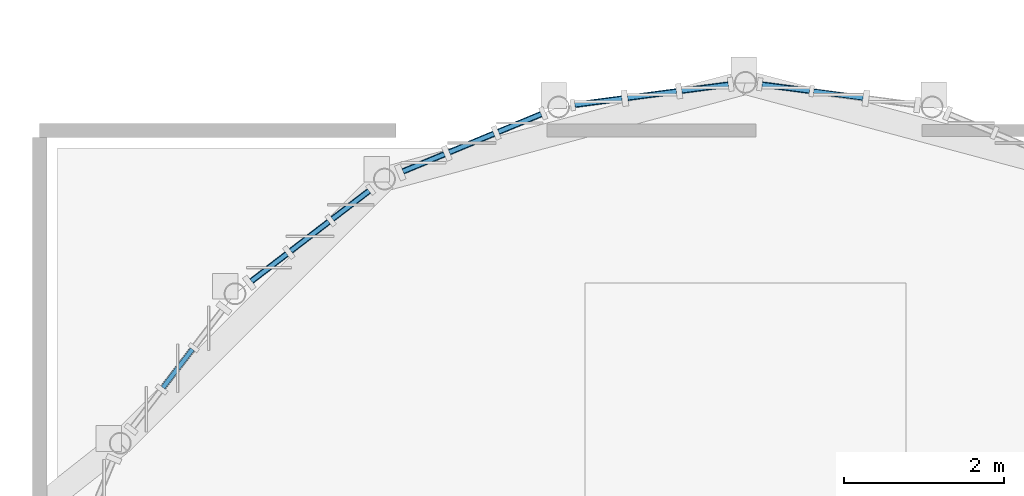
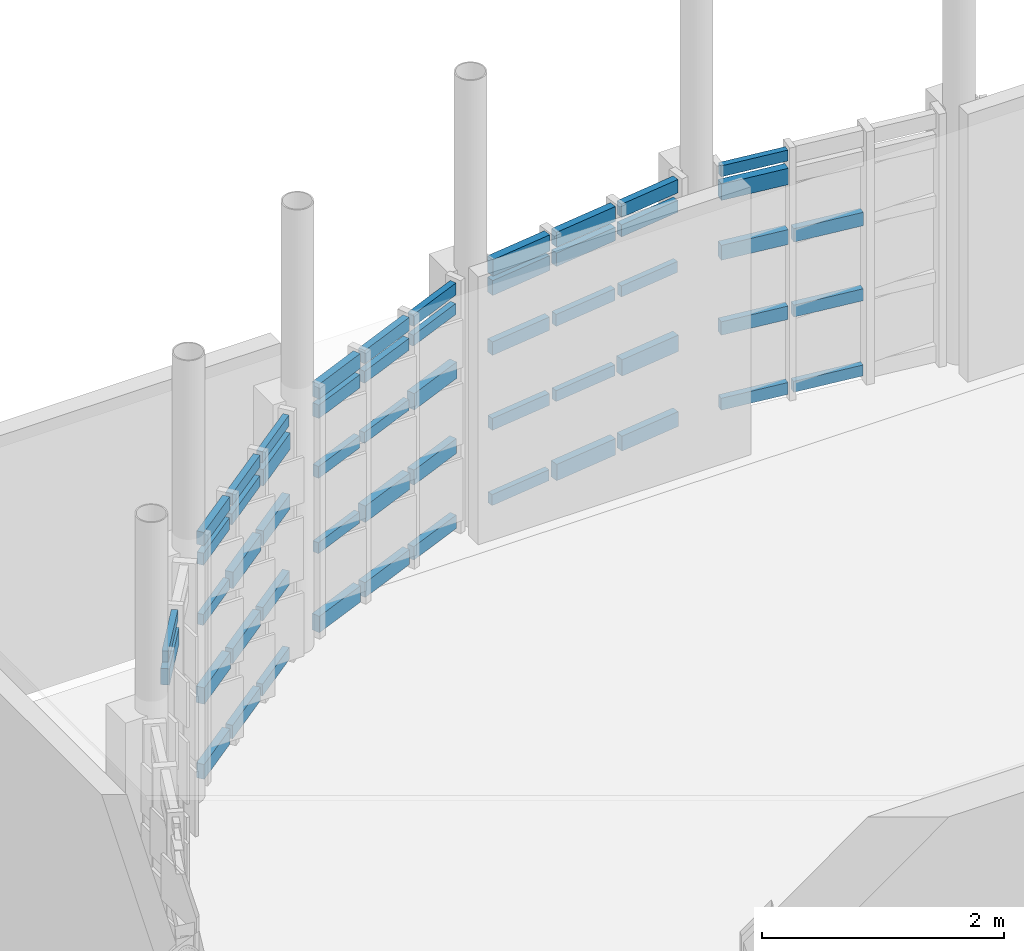
# One storey, part 24 of 44: 55 members, 5 elements without a shape of their own.
"""IFC4 building model written with IfcOpenShell, lengths in metres."""

from ifc_helpers import new_model, si_unit, direction, frame, origin, origin_2d, place, context, subcontext, project, spatial, rectangle, extrude, material, material_profile, profile_set, type_object, element, aggregate, save


model = new_model("IFC4")

# Units and contexts
model_context = context("Model", 3, precision=1e-05, world=origin(), true_north=direction((0.0, 1.0)))
body_context = subcontext(model_context, "Body", "Model", "MODEL_VIEW")
ifc_project = project(units=[si_unit("LENGTHUNIT", "METRE"), si_unit("AREAUNIT", "SQUARE_METRE"), si_unit("VOLUMEUNIT", "CUBIC_METRE"), si_unit("PLANEANGLEUNIT", "RADIAN"), si_unit("MASSUNIT", "GRAM", prefix="KILO")], contexts=[model_context])

# Site, building, storey
site_placement = place(None, origin())
site = spatial("IfcSite", under=ifc_project, at=site_placement, CompositionType="ELEMENT")
building_placement = place(site_placement, origin())
building = spatial("IfcBuilding", under=site, at=building_placement, Name="Serraforn Aerial Cableway Station", CompositionType="ELEMENT")
storey_placement = place(building_placement, frame((0.0, 0.0, 13.800048828125)))
storey = spatial("IfcBuildingStorey", under=building, at=storey_placement, Name="L03", CompositionType="ELEMENT", Elevation=13.800048828125)

# Curtain wall, member
ifc_material_1 = material(Name="Anodised bronze unitised curtain wall")
curtain_wall_type_1 = type_object("IfcCurtainWallType", Name="CW-SYS-22", PredefinedType="USERDEFINED", material=ifc_material_1)
curtain_wall_1_placement = place(storey_placement, origin())
curtain_wall_1 = element("IfcCurtainWall", 1, at=curtain_wall_1_placement, inside=storey, type_object=curtain_wall_type_1, Name="Unitised Curtain Wall CW-AP-L03-R3", ObjectType="UNITISED CURTAIN WALL", PredefinedType="USERDEFINED")
ifc_material_2 = material(Name="Anodised bronze extruded aluminium", Category="aluminium")
ifc_material_profile_1 = material_profile(ifc_material_2, rectangle(XDim=0.054931640625, YDim=0.110107421875, at=origin_2d()), Name="CW TRANSOM 55x110")
ifc_profile_set_1 = profile_set([ifc_material_profile_1], Name="Anodised bronze extruded aluminium")
member_type_1 = type_object("IfcMemberType", Name="CW-TRN-1", PredefinedType="USERDEFINED", material=ifc_profile_set_1)
member_1_placement = place(storey_placement, frame((52.205322265625, 47.67236328125, 2.447998046875), z_axis=(-0.608830626569, -0.793300238341, 0.0), x_axis=(0.793300238341, -0.608830626569, 0.0)))
member_1 = element("IfcMember", 2, at=member_1_placement, type_object=member_type_1, Name="Curtain Wall Transom CW-AP-L03-R3-T2-5", ObjectType="TRANSOM", PredefinedType="USERDEFINED", context=body_context, shape_type="SweptSolid", body=[
    extrude(rectangle(XDim=0.054931640625, YDim=0.110107421875, at=origin_2d()), origin(), (0.0, 0.0, 1.0), 0.603515625),
])

# Curtain wall, members
curtain_wall_type_2 = type_object("IfcCurtainWallType", Name="CW-SYS-23", PredefinedType="USERDEFINED", material=ifc_material_1)
curtain_wall_2_placement = place(storey_placement, origin())
curtain_wall_2 = element("IfcCurtainWall", 3, at=curtain_wall_2_placement, inside=storey, type_object=curtain_wall_type_2, Name="Unitised Curtain Wall CW-AP-L03-R4", ObjectType="UNITISED CURTAIN WALL", PredefinedType="USERDEFINED")
member_2_placement = place(storey_placement, frame((54.40771484375, 49.646484375, 2.447998046875), z_axis=(-0.793647301448, -0.608378139732, 0.0), x_axis=(0.608378139732, -0.793647301448, 0.0)))
member_2 = element("IfcMember", 4, at=member_2_placement, type_object=member_type_1, Name="Curtain Wall Transom CW-AP-L03-R4-T1-5", ObjectType="TRANSOM", PredefinedType="USERDEFINED", context=body_context, shape_type="SweptSolid", body=[
    extrude(rectangle(XDim=0.054931640625, YDim=0.110107421875, at=origin_2d()), origin(), (0.0, 0.0, 1.0), 0.575927734375),
])
member_3_placement = place(storey_placement, frame((53.906494140625, 49.261962890625, 2.243896484375), z_axis=(-0.793442186035, -0.608645625483, 0.0), x_axis=(0.608645625483, -0.793442186035, 0.0)))
member_3 = element("IfcMember", 5, at=member_3_placement, type_object=member_type_1, Name="Curtain Wall Transom CW-AP-L03-R4-T2-4", ObjectType="TRANSOM", PredefinedType="USERDEFINED", context=body_context, shape_type="SweptSolid", body=[
    extrude(rectangle(XDim=0.054931640625, YDim=0.110107421875, at=origin_2d()), origin(), (0.0, 0.0, 1.0), 0.598388671875),
])
member_4_placement = place(storey_placement, frame((53.38330078125, 48.860595703125, 1.6318359375), z_axis=(-0.793500799504, -0.608569208214, 0.0), x_axis=(0.608569208214, -0.793500799504, 0.0)))
member_4 = element("IfcMember", 6, at=member_4_placement, type_object=member_type_1, Name="Curtain Wall Transom CW-AP-L03-R4-T3-3", ObjectType="TRANSOM", PredefinedType="USERDEFINED", context=body_context, shape_type="SweptSolid", body=[
    extrude(rectangle(XDim=0.054931640625, YDim=0.110107421875, at=origin_2d()), origin(), (0.0, 0.0, 1.0), 0.558349609375),
])

curtain_wall_type_3 = type_object("IfcCurtainWallType", Name="CW-SYS-24", PredefinedType="USERDEFINED", material=ifc_material_1)
curtain_wall_3_placement = place(storey_placement, origin())
curtain_wall_3 = element("IfcCurtainWall", 7, at=curtain_wall_3_placement, inside=storey, type_object=curtain_wall_type_3, Name="Unitised Curtain Wall CW-AP-L03-R5", ObjectType="UNITISED CURTAIN WALL", PredefinedType="USERDEFINED")
member_5_placement = place(storey_placement, frame((56.55419921875, 50.603515625, 2.243896484375), z_axis=(-0.923975594245, -0.382451436446, 0.0), x_axis=(0.382451436446, -0.923975594245, 0.0)))
member_5 = element("IfcMember", 8, at=member_5_placement, type_object=member_type_1, Name="Curtain Wall Transom CW-AP-L03-R5-T1-4", ObjectType="TRANSOM", PredefinedType="USERDEFINED", context=body_context, shape_type="SweptSolid", body=[
    extrude(rectangle(XDim=0.054931640625, YDim=0.110107421875, at=origin_2d()), origin(), (0.0, 0.0, 1.0), 0.5771484375),
])
member_6_placement = place(storey_placement, frame((55.964599609375, 50.359375, 1.6318359375), z_axis=(-0.923878487466, -0.382685955317, 0.0), x_axis=(0.382685955317, -0.923878487466, 0.0)))
member_6 = element("IfcMember", 9, at=member_6_placement, type_object=member_type_1, Name="Curtain Wall Transom CW-AP-L03-R5-T2-3", ObjectType="TRANSOM", PredefinedType="USERDEFINED", context=body_context, shape_type="SweptSolid", body=[
    extrude(rectangle(XDim=0.054931640625, YDim=0.110107421875, at=origin_2d()), origin(), (0.0, 0.0, 1.0), 0.602294921875),
])
member_7_placement = place(storey_placement, frame((55.347412109375, 50.103759765625, 0.866943359375), z_axis=(-0.923926461364, -0.382570116438, 0.0), x_axis=(0.382570116438, -0.923926461364, 0.0)))
member_7 = element("IfcMember", 10, at=member_7_placement, type_object=member_type_1, Name="Curtain Wall Transom CW-AP-L03-R5-T3-2", ObjectType="TRANSOM", PredefinedType="USERDEFINED", context=body_context, shape_type="SweptSolid", body=[
    extrude(rectangle(XDim=0.054931640625, YDim=0.110107421875, at=origin_2d()), origin(), (0.0, 0.0, 1.0), 0.5595703125),
])

curtain_wall_type_4 = type_object("IfcCurtainWallType", Name="CW-SYS-25", PredefinedType="USERDEFINED", material=ifc_material_1)
curtain_wall_4_placement = place(storey_placement, origin())
curtain_wall_4 = element("IfcCurtainWall", 11, at=curtain_wall_4_placement, inside=storey, type_object=curtain_wall_type_4, Name="Unitised Curtain Wall CW-AP-L03-R6", ObjectType="UNITISED CURTAIN WALL", PredefinedType="USERDEFINED")
member_8_placement = place(storey_placement, frame((58.8876953125, 50.97216796875, 1.6318359375), z_axis=(-0.991415987293, -0.130745325498, 0.0), x_axis=(0.130745325498, -0.991415987293, 0.0)))
member_8 = element("IfcMember", 12, at=member_8_placement, type_object=member_type_1, Name="Curtain Wall Transom CW-AP-L03-R6-T1-3", ObjectType="TRANSOM", PredefinedType="USERDEFINED", context=body_context, shape_type="SweptSolid", body=[
    extrude(rectangle(XDim=0.054931640625, YDim=0.110107421875, at=origin_2d()), origin(), (0.0, 0.0, 1.0), 0.58642578125),
])
member_9_placement = place(storey_placement, frame((58.24072265625, 50.886962890625, 0.866943359375), z_axis=(-0.991404140861, -0.130835123282, 0.0), x_axis=(0.130835123282, -0.991404140861, 0.0)))
member_9 = element("IfcMember", 13, at=member_9_placement, type_object=member_type_1, Name="Curtain Wall Transom CW-AP-L03-R6-T2-2", ObjectType="TRANSOM", PredefinedType="USERDEFINED", context=body_context, shape_type="SweptSolid", body=[
    extrude(rectangle(XDim=0.054931640625, YDim=0.110107421875, at=origin_2d()), origin(), (0.0, 0.0, 1.0), 0.614013671875),
])
member_10_placement = place(storey_placement, frame((57.561767578125, 50.797607421875, 0.10205078125), z_axis=(-0.991420685839, -0.130709692412, 0.0), x_axis=(0.130709692412, -0.991420685839, 0.0)))
member_10 = element("IfcMember", 14, at=member_10_placement, type_object=member_type_1, Name="Curtain Wall Transom CW-AP-L03-R6-T3-1", ObjectType="TRANSOM", PredefinedType="USERDEFINED", context=body_context, shape_type="SweptSolid", body=[
    extrude(rectangle(XDim=0.054931640625, YDim=0.110107421875, at=origin_2d()), origin(), (0.0, 0.0, 1.0), 0.593994140625),
])

curtain_wall_type_5 = type_object("IfcCurtainWallType", Name="CW-SYS-26", PredefinedType="USERDEFINED", material=ifc_material_1)
curtain_wall_5_placement = place(storey_placement, origin())
curtain_wall_5 = element("IfcCurtainWall", 15, at=curtain_wall_5_placement, inside=storey, type_object=curtain_wall_type_5, Name="Unitised Curtain Wall CW-AP-L03-R7", ObjectType="UNITISED CURTAIN WALL", PredefinedType="USERDEFINED")
member_11_placement = place(storey_placement, frame((60.56787109375, 50.806640625, 0.10205078125), z_axis=(-0.991408779426, 0.13079996971, 0.0), x_axis=(-0.13079996971, -0.991408779426, 0.0)))
member_11 = element("IfcMember", 16, at=member_11_placement, type_object=member_type_1, Name="Curtain Wall Transom CW-AP-L03-R7-T2-1", ObjectType="TRANSOM", PredefinedType="USERDEFINED", context=body_context, shape_type="SweptSolid", body=[
    extrude(rectangle(XDim=0.054931640625, YDim=0.110107421875, at=origin_2d()), origin(), (0.0, 0.0, 1.0), 0.62158203125),
])
member_12_placement = place(storey_placement, frame((59.901123046875, 50.89453125, 2.447998046875), z_axis=(-0.991454295543, 0.130454512571, 0.0), x_axis=(-0.130454512571, -0.991454295543, 0.0)))
member_12 = element("IfcMember", 17, at=member_12_placement, type_object=member_type_1, Name="Curtain Wall Transom CW-AP-L03-R7-T3-5", ObjectType="TRANSOM", PredefinedType="USERDEFINED", context=body_context, shape_type="SweptSolid", body=[
    extrude(rectangle(XDim=0.054931640625, YDim=0.110107421875, at=origin_2d()), origin(), (0.0, 0.0, 1.0), 0.598876953125),
])

# Member
ifc_material_profile_2 = material_profile(ifc_material_2, rectangle(XDim=0.06005859375, YDim=0.1201171875, at=origin_2d()), Name="CW TRANSOM 60x120")
ifc_profile_set_2 = profile_set([ifc_material_profile_2], Name="Anodised bronze extruded aluminium")
member_type_2 = type_object("IfcMemberType", Name="CW-TRN-2", PredefinedType="USERDEFINED", material=ifc_profile_set_2)
member_13_placement = place(storey_placement, frame((54.40771484375, 49.646484375, 0.10205078125), z_axis=(-0.793647301448, -0.608378139732, 0.0), x_axis=(0.608378139732, -0.793647301448, 0.0)))
member_13 = element("IfcMember", 18, at=member_13_placement, type_object=member_type_2, Name="Curtain Wall Transom CW-AP-L03-R4-T1-1", ObjectType="TRANSOM", PredefinedType="USERDEFINED", context=body_context, shape_type="SweptSolid", body=[
    extrude(rectangle(XDim=0.06005859375, YDim=0.1201171875, at=origin_2d()), origin(), (0.0, 0.0, 1.0), 0.575927734375),
])

member_14_placement = place(storey_placement, frame((53.906494140625, 49.261962890625, 2.447998046875), z_axis=(-0.793442186035, -0.608645625483, 0.0), x_axis=(0.608645625483, -0.793442186035, 0.0)))
member_14 = element("IfcMember", 19, at=member_14_placement, type_object=member_type_2, Name="Curtain Wall Transom CW-AP-L03-R4-T2-5", ObjectType="TRANSOM", PredefinedType="USERDEFINED", context=body_context, shape_type="SweptSolid", body=[
    extrude(rectangle(XDim=0.06005859375, YDim=0.1201171875, at=origin_2d()), origin(), (0.0, 0.0, 1.0), 0.598388671875),
])

member_15_placement = place(storey_placement, frame((53.38330078125, 48.860595703125, 2.243896484375), z_axis=(-0.793500799504, -0.608569208214, 0.0), x_axis=(0.608569208214, -0.793500799504, 0.0)))
member_15 = element("IfcMember", 20, at=member_15_placement, type_object=member_type_2, Name="Curtain Wall Transom CW-AP-L03-R4-T3-4", ObjectType="TRANSOM", PredefinedType="USERDEFINED", context=body_context, shape_type="SweptSolid", body=[
    extrude(rectangle(XDim=0.06005859375, YDim=0.1201171875, at=origin_2d()), origin(), (0.0, 0.0, 1.0), 0.558349609375),
])

member_16_placement = place(storey_placement, frame((56.55419921875, 50.603515625, 2.447998046875), z_axis=(-0.923975594245, -0.382451436446, 0.0), x_axis=(0.382451436446, -0.923975594245, 0.0)))
member_16 = element("IfcMember", 21, at=member_16_placement, type_object=member_type_2, Name="Curtain Wall Transom CW-AP-L03-R5-T1-5", ObjectType="TRANSOM", PredefinedType="USERDEFINED", context=body_context, shape_type="SweptSolid", body=[
    extrude(rectangle(XDim=0.06005859375, YDim=0.1201171875, at=origin_2d()), origin(), (0.0, 0.0, 1.0), 0.5771484375),
])

member_17_placement = place(storey_placement, frame((55.964599609375, 50.359375, 2.243896484375), z_axis=(-0.923878487466, -0.382685955317, 0.0), x_axis=(0.382685955317, -0.923878487466, 0.0)))
member_17 = element("IfcMember", 22, at=member_17_placement, type_object=member_type_2, Name="Curtain Wall Transom CW-AP-L03-R5-T2-4", ObjectType="TRANSOM", PredefinedType="USERDEFINED", context=body_context, shape_type="SweptSolid", body=[
    extrude(rectangle(XDim=0.06005859375, YDim=0.1201171875, at=origin_2d()), origin(), (0.0, 0.0, 1.0), 0.602294921875),
])

member_18_placement = place(storey_placement, frame((55.347412109375, 50.103759765625, 1.6318359375), z_axis=(-0.923926461364, -0.382570116438, 0.0), x_axis=(0.382570116438, -0.923926461364, 0.0)))
member_18 = element("IfcMember", 23, at=member_18_placement, type_object=member_type_2, Name="Curtain Wall Transom CW-AP-L03-R5-T3-3", ObjectType="TRANSOM", PredefinedType="USERDEFINED", context=body_context, shape_type="SweptSolid", body=[
    extrude(rectangle(XDim=0.06005859375, YDim=0.1201171875, at=origin_2d()), origin(), (0.0, 0.0, 1.0), 0.5595703125),
])

member_19_placement = place(storey_placement, frame((58.8876953125, 50.97216796875, 2.243896484375), z_axis=(-0.991415987293, -0.130745325498, 0.0), x_axis=(0.130745325498, -0.991415987293, 0.0)))
member_19 = element("IfcMember", 24, at=member_19_placement, type_object=member_type_2, Name="Curtain Wall Transom CW-AP-L03-R6-T1-4", ObjectType="TRANSOM", PredefinedType="USERDEFINED", context=body_context, shape_type="SweptSolid", body=[
    extrude(rectangle(XDim=0.06005859375, YDim=0.1201171875, at=origin_2d()), origin(), (0.0, 0.0, 1.0), 0.58642578125),
])

member_20_placement = place(storey_placement, frame((58.24072265625, 50.886962890625, 1.6318359375), z_axis=(-0.991404140861, -0.130835123282, 0.0), x_axis=(0.130835123282, -0.991404140861, 0.0)))
member_20 = element("IfcMember", 25, at=member_20_placement, type_object=member_type_2, Name="Curtain Wall Transom CW-AP-L03-R6-T2-3", ObjectType="TRANSOM", PredefinedType="USERDEFINED", context=body_context, shape_type="SweptSolid", body=[
    extrude(rectangle(XDim=0.06005859375, YDim=0.1201171875, at=origin_2d()), origin(), (0.0, 0.0, 1.0), 0.614013671875),
])

member_21_placement = place(storey_placement, frame((57.561767578125, 50.797607421875, 0.866943359375), z_axis=(-0.991420685839, -0.130709692412, 0.0), x_axis=(0.130709692412, -0.991420685839, 0.0)))
member_21 = element("IfcMember", 26, at=member_21_placement, type_object=member_type_2, Name="Curtain Wall Transom CW-AP-L03-R6-T3-2", ObjectType="TRANSOM", PredefinedType="USERDEFINED", context=body_context, shape_type="SweptSolid", body=[
    extrude(rectangle(XDim=0.06005859375, YDim=0.1201171875, at=origin_2d()), origin(), (0.0, 0.0, 1.0), 0.593994140625),
])

member_22_placement = place(storey_placement, frame((60.56787109375, 50.806640625, 0.866943359375), z_axis=(-0.991408779426, 0.13079996971, 0.0), x_axis=(-0.13079996971, -0.991408779426, 0.0)))
member_22 = element("IfcMember", 27, at=member_22_placement, type_object=member_type_2, Name="Curtain Wall Transom CW-AP-L03-R7-T2-2", ObjectType="TRANSOM", PredefinedType="USERDEFINED", context=body_context, shape_type="SweptSolid", body=[
    extrude(rectangle(XDim=0.06005859375, YDim=0.1201171875, at=origin_2d()), origin(), (0.0, 0.0, 1.0), 0.62158203125),
])

member_23_placement = place(storey_placement, frame((59.901123046875, 50.89453125, 0.10205078125), z_axis=(-0.991454295543, 0.130454512571, 0.0), x_axis=(-0.130454512571, -0.991454295543, 0.0)))
member_23 = element("IfcMember", 28, at=member_23_placement, type_object=member_type_2, Name="Curtain Wall Transom CW-AP-L03-R7-T3-1", ObjectType="TRANSOM", PredefinedType="USERDEFINED", context=body_context, shape_type="SweptSolid", body=[
    extrude(rectangle(XDim=0.06005859375, YDim=0.1201171875, at=origin_2d()), origin(), (0.0, 0.0, 1.0), 0.598876953125),
])

ifc_material_profile_3 = material_profile(ifc_material_2, rectangle(XDim=0.06494140625, YDim=0.135009765625, at=origin_2d()), Name="CW TRANSOM 65x135")
ifc_profile_set_3 = profile_set([ifc_material_profile_3], Name="Anodised bronze extruded aluminium")
member_type_3 = type_object("IfcMemberType", Name="CW-TRN-3", PredefinedType="USERDEFINED", material=ifc_profile_set_3)
member_24_placement = place(storey_placement, frame((54.40771484375, 49.646484375, 0.866943359375), z_axis=(-0.793647301448, -0.608378139732, 0.0), x_axis=(0.608378139732, -0.793647301448, 0.0)))
member_24 = element("IfcMember", 29, at=member_24_placement, type_object=member_type_3, Name="Curtain Wall Transom CW-AP-L03-R4-T1-2", ObjectType="TRANSOM", PredefinedType="USERDEFINED", context=body_context, shape_type="SweptSolid", body=[
    extrude(rectangle(XDim=0.06494140625, YDim=0.135009765625, at=origin_2d()), origin(), (0.0, 0.0, 1.0), 0.575927734375),
])

member_25_placement = place(storey_placement, frame((53.906494140625, 49.261962890625, 0.10205078125), z_axis=(-0.793442186035, -0.608645625483, 0.0), x_axis=(0.608645625483, -0.793442186035, 0.0)))
member_25 = element("IfcMember", 30, at=member_25_placement, type_object=member_type_3, Name="Curtain Wall Transom CW-AP-L03-R4-T2-1", ObjectType="TRANSOM", PredefinedType="USERDEFINED", context=body_context, shape_type="SweptSolid", body=[
    extrude(rectangle(XDim=0.06494140625, YDim=0.135009765625, at=origin_2d()), origin(), (0.0, 0.0, 1.0), 0.598388671875),
])

member_26_placement = place(storey_placement, frame((53.38330078125, 48.860595703125, 2.447998046875), z_axis=(-0.793500799504, -0.608569208214, 0.0), x_axis=(0.608569208214, -0.793500799504, 0.0)))
member_26 = element("IfcMember", 31, at=member_26_placement, type_object=member_type_3, Name="Curtain Wall Transom CW-AP-L03-R4-T3-5", ObjectType="TRANSOM", PredefinedType="USERDEFINED", context=body_context, shape_type="SweptSolid", body=[
    extrude(rectangle(XDim=0.06494140625, YDim=0.135009765625, at=origin_2d()), origin(), (0.0, 0.0, 1.0), 0.558349609375),
])

member_27_placement = place(storey_placement, frame((56.55419921875, 50.603515625, 0.10205078125), z_axis=(-0.923975594245, -0.382451436446, 0.0), x_axis=(0.382451436446, -0.923975594245, 0.0)))
member_27 = element("IfcMember", 32, at=member_27_placement, type_object=member_type_3, Name="Curtain Wall Transom CW-AP-L03-R5-T1-1", ObjectType="TRANSOM", PredefinedType="USERDEFINED", context=body_context, shape_type="SweptSolid", body=[
    extrude(rectangle(XDim=0.06494140625, YDim=0.135009765625, at=origin_2d()), origin(), (0.0, 0.0, 1.0), 0.5771484375),
])

member_28_placement = place(storey_placement, frame((55.964599609375, 50.359375, 2.447998046875), z_axis=(-0.923878487466, -0.382685955317, 0.0), x_axis=(0.382685955317, -0.923878487466, 0.0)))
member_28 = element("IfcMember", 33, at=member_28_placement, type_object=member_type_3, Name="Curtain Wall Transom CW-AP-L03-R5-T2-5", ObjectType="TRANSOM", PredefinedType="USERDEFINED", context=body_context, shape_type="SweptSolid", body=[
    extrude(rectangle(XDim=0.06494140625, YDim=0.135009765625, at=origin_2d()), origin(), (0.0, 0.0, 1.0), 0.602294921875),
])

member_29_placement = place(storey_placement, frame((55.347412109375, 50.103759765625, 2.243896484375), z_axis=(-0.923926461364, -0.382570116438, 0.0), x_axis=(0.382570116438, -0.923926461364, 0.0)))
member_29 = element("IfcMember", 34, at=member_29_placement, type_object=member_type_3, Name="Curtain Wall Transom CW-AP-L03-R5-T3-4", ObjectType="TRANSOM", PredefinedType="USERDEFINED", context=body_context, shape_type="SweptSolid", body=[
    extrude(rectangle(XDim=0.06494140625, YDim=0.135009765625, at=origin_2d()), origin(), (0.0, 0.0, 1.0), 0.5595703125),
])

member_30_placement = place(storey_placement, frame((58.8876953125, 50.97216796875, 2.447998046875), z_axis=(-0.991415987293, -0.130745325498, 0.0), x_axis=(0.130745325498, -0.991415987293, 0.0)))
member_30 = element("IfcMember", 35, at=member_30_placement, type_object=member_type_3, Name="Curtain Wall Transom CW-AP-L03-R6-T1-5", ObjectType="TRANSOM", PredefinedType="USERDEFINED", context=body_context, shape_type="SweptSolid", body=[
    extrude(rectangle(XDim=0.06494140625, YDim=0.135009765625, at=origin_2d()), origin(), (0.0, 0.0, 1.0), 0.58642578125),
])

member_31_placement = place(storey_placement, frame((58.24072265625, 50.886962890625, 2.243896484375), z_axis=(-0.991404140861, -0.130835123282, 0.0), x_axis=(0.130835123282, -0.991404140861, 0.0)))
member_31 = element("IfcMember", 36, at=member_31_placement, type_object=member_type_3, Name="Curtain Wall Transom CW-AP-L03-R6-T2-4", ObjectType="TRANSOM", PredefinedType="USERDEFINED", context=body_context, shape_type="SweptSolid", body=[
    extrude(rectangle(XDim=0.06494140625, YDim=0.135009765625, at=origin_2d()), origin(), (0.0, 0.0, 1.0), 0.614013671875),
])

member_32_placement = place(storey_placement, frame((57.561767578125, 50.797607421875, 1.6318359375), z_axis=(-0.991420685839, -0.130709692412, 0.0), x_axis=(0.130709692412, -0.991420685839, 0.0)))
member_32 = element("IfcMember", 37, at=member_32_placement, type_object=member_type_3, Name="Curtain Wall Transom CW-AP-L03-R6-T3-3", ObjectType="TRANSOM", PredefinedType="USERDEFINED", context=body_context, shape_type="SweptSolid", body=[
    extrude(rectangle(XDim=0.06494140625, YDim=0.135009765625, at=origin_2d()), origin(), (0.0, 0.0, 1.0), 0.593994140625),
])

member_33_placement = place(storey_placement, frame((60.56787109375, 50.806640625, 1.6318359375), z_axis=(-0.991408779426, 0.13079996971, 0.0), x_axis=(-0.13079996971, -0.991408779426, 0.0)))
member_33 = element("IfcMember", 38, at=member_33_placement, type_object=member_type_3, Name="Curtain Wall Transom CW-AP-L03-R7-T2-3", ObjectType="TRANSOM", PredefinedType="USERDEFINED", context=body_context, shape_type="SweptSolid", body=[
    extrude(rectangle(XDim=0.06494140625, YDim=0.135009765625, at=origin_2d()), origin(), (0.0, 0.0, 1.0), 0.62158203125),
])

member_34_placement = place(storey_placement, frame((59.901123046875, 50.89453125, 0.866943359375), z_axis=(-0.991454295543, 0.130454512571, 0.0), x_axis=(-0.130454512571, -0.991454295543, 0.0)))
member_34 = element("IfcMember", 39, at=member_34_placement, type_object=member_type_3, Name="Curtain Wall Transom CW-AP-L03-R7-T3-2", ObjectType="TRANSOM", PredefinedType="USERDEFINED", context=body_context, shape_type="SweptSolid", body=[
    extrude(rectangle(XDim=0.06494140625, YDim=0.135009765625, at=origin_2d()), origin(), (0.0, 0.0, 1.0), 0.598876953125),
])

ifc_material_profile_4 = material_profile(ifc_material_2, rectangle(XDim=0.070068359375, YDim=0.14990234375, at=origin_2d()), Name="CW TRANSOM 70x150")
ifc_profile_set_4 = profile_set([ifc_material_profile_4], Name="Anodised bronze extruded aluminium")
member_type_4 = type_object("IfcMemberType", Name="CW-TRN-4", PredefinedType="USERDEFINED", material=ifc_profile_set_4)
member_35_placement = place(storey_placement, frame((54.40771484375, 49.646484375, 1.6318359375), z_axis=(-0.793647301448, -0.608378139732, 0.0), x_axis=(0.608378139732, -0.793647301448, 0.0)))
member_35 = element("IfcMember", 40, at=member_35_placement, type_object=member_type_4, Name="Curtain Wall Transom CW-AP-L03-R4-T1-3", ObjectType="TRANSOM", PredefinedType="USERDEFINED", context=body_context, shape_type="SweptSolid", body=[
    extrude(rectangle(XDim=0.070068359375, YDim=0.14990234375, at=origin_2d()), origin(), (0.0, 0.0, 1.0), 0.575927734375),
])

member_36_placement = place(storey_placement, frame((53.906494140625, 49.261962890625, 0.866943359375), z_axis=(-0.793442186035, -0.608645625483, 0.0), x_axis=(0.608645625483, -0.793442186035, 0.0)))
member_36 = element("IfcMember", 41, at=member_36_placement, type_object=member_type_4, Name="Curtain Wall Transom CW-AP-L03-R4-T2-2", ObjectType="TRANSOM", PredefinedType="USERDEFINED", context=body_context, shape_type="SweptSolid", body=[
    extrude(rectangle(XDim=0.070068359375, YDim=0.14990234375, at=origin_2d()), origin(), (0.0, 0.0, 1.0), 0.598388671875),
])

member_37_placement = place(storey_placement, frame((53.38330078125, 48.860595703125, 0.10205078125), z_axis=(-0.793500799504, -0.608569208214, 0.0), x_axis=(0.608569208214, -0.793500799504, 0.0)))
member_37 = element("IfcMember", 42, at=member_37_placement, type_object=member_type_4, Name="Curtain Wall Transom CW-AP-L03-R4-T3-1", ObjectType="TRANSOM", PredefinedType="USERDEFINED", context=body_context, shape_type="SweptSolid", body=[
    extrude(rectangle(XDim=0.070068359375, YDim=0.14990234375, at=origin_2d()), origin(), (0.0, 0.0, 1.0), 0.558349609375),
])

member_38_placement = place(storey_placement, frame((56.55419921875, 50.603515625, 0.866943359375), z_axis=(-0.923975594245, -0.382451436446, 0.0), x_axis=(0.382451436446, -0.923975594245, 0.0)))
member_38 = element("IfcMember", 43, at=member_38_placement, type_object=member_type_4, Name="Curtain Wall Transom CW-AP-L03-R5-T1-2", ObjectType="TRANSOM", PredefinedType="USERDEFINED", context=body_context, shape_type="SweptSolid", body=[
    extrude(rectangle(XDim=0.070068359375, YDim=0.14990234375, at=origin_2d()), origin(), (0.0, 0.0, 1.0), 0.5771484375),
])

member_39_placement = place(storey_placement, frame((55.964599609375, 50.359375, 0.10205078125), z_axis=(-0.923878487466, -0.382685955317, 0.0), x_axis=(0.382685955317, -0.923878487466, 0.0)))
member_39 = element("IfcMember", 44, at=member_39_placement, type_object=member_type_4, Name="Curtain Wall Transom CW-AP-L03-R5-T2-1", ObjectType="TRANSOM", PredefinedType="USERDEFINED", context=body_context, shape_type="SweptSolid", body=[
    extrude(rectangle(XDim=0.070068359375, YDim=0.14990234375, at=origin_2d()), origin(), (0.0, 0.0, 1.0), 0.602294921875),
])

member_40_placement = place(storey_placement, frame((55.347412109375, 50.103759765625, 2.447998046875), z_axis=(-0.923926461364, -0.382570116438, 0.0), x_axis=(0.382570116438, -0.923926461364, 0.0)))
member_40 = element("IfcMember", 45, at=member_40_placement, type_object=member_type_4, Name="Curtain Wall Transom CW-AP-L03-R5-T3-5", ObjectType="TRANSOM", PredefinedType="USERDEFINED", context=body_context, shape_type="SweptSolid", body=[
    extrude(rectangle(XDim=0.070068359375, YDim=0.14990234375, at=origin_2d()), origin(), (0.0, 0.0, 1.0), 0.5595703125),
])

member_41_placement = place(storey_placement, frame((58.8876953125, 50.97216796875, 0.10205078125), z_axis=(-0.991415987293, -0.130745325498, 0.0), x_axis=(0.130745325498, -0.991415987293, 0.0)))
member_41 = element("IfcMember", 46, at=member_41_placement, type_object=member_type_4, Name="Curtain Wall Transom CW-AP-L03-R6-T1-1", ObjectType="TRANSOM", PredefinedType="USERDEFINED", context=body_context, shape_type="SweptSolid", body=[
    extrude(rectangle(XDim=0.070068359375, YDim=0.14990234375, at=origin_2d()), origin(), (0.0, 0.0, 1.0), 0.58642578125),
])

member_42_placement = place(storey_placement, frame((58.24072265625, 50.886962890625, 2.447998046875), z_axis=(-0.991404140861, -0.130835123282, 0.0), x_axis=(0.130835123282, -0.991404140861, 0.0)))
member_42 = element("IfcMember", 47, at=member_42_placement, type_object=member_type_4, Name="Curtain Wall Transom CW-AP-L03-R6-T2-5", ObjectType="TRANSOM", PredefinedType="USERDEFINED", context=body_context, shape_type="SweptSolid", body=[
    extrude(rectangle(XDim=0.070068359375, YDim=0.14990234375, at=origin_2d()), origin(), (0.0, 0.0, 1.0), 0.614013671875),
])

member_43_placement = place(storey_placement, frame((57.561767578125, 50.797607421875, 2.243896484375), z_axis=(-0.991420685839, -0.130709692412, 0.0), x_axis=(0.130709692412, -0.991420685839, 0.0)))
member_43 = element("IfcMember", 48, at=member_43_placement, type_object=member_type_4, Name="Curtain Wall Transom CW-AP-L03-R6-T3-4", ObjectType="TRANSOM", PredefinedType="USERDEFINED", context=body_context, shape_type="SweptSolid", body=[
    extrude(rectangle(XDim=0.070068359375, YDim=0.14990234375, at=origin_2d()), origin(), (0.0, 0.0, 1.0), 0.593994140625),
])

member_44_placement = place(storey_placement, frame((59.901123046875, 50.89453125, 1.6318359375), z_axis=(-0.991454295543, 0.130454512571, 0.0), x_axis=(-0.130454512571, -0.991454295543, 0.0)))
member_44 = element("IfcMember", 49, at=member_44_placement, type_object=member_type_4, Name="Curtain Wall Transom CW-AP-L03-R7-T3-3", ObjectType="TRANSOM", PredefinedType="USERDEFINED", context=body_context, shape_type="SweptSolid", body=[
    extrude(rectangle(XDim=0.070068359375, YDim=0.14990234375, at=origin_2d()), origin(), (0.0, 0.0, 1.0), 0.598876953125),
])

ifc_material_profile_5 = material_profile(ifc_material_2, rectangle(XDim=0.074951171875, YDim=0.1650390625, at=origin_2d()), Name="CW TRANSOM 75x165")
ifc_profile_set_5 = profile_set([ifc_material_profile_5], Name="Anodised bronze extruded aluminium")
member_type_5 = type_object("IfcMemberType", Name="CW-TRN-5", PredefinedType="USERDEFINED", material=ifc_profile_set_5)
member_45_placement = place(storey_placement, frame((52.205322265625, 47.67236328125, 2.243896484375), z_axis=(-0.608830626569, -0.793300238341, 0.0), x_axis=(0.793300238341, -0.608830626569, 0.0)))
member_45 = element("IfcMember", 50, at=member_45_placement, type_object=member_type_5, Name="Curtain Wall Transom CW-AP-L03-R3-T2-4", ObjectType="TRANSOM", PredefinedType="USERDEFINED", context=body_context, shape_type="SweptSolid", body=[
    extrude(rectangle(XDim=0.074951171875, YDim=0.1650390625, at=origin_2d()), origin(), (0.0, 0.0, 1.0), 0.603515625),
])

aggregate(curtain_wall_1, [member_45, member_1])

member_46_placement = place(storey_placement, frame((54.40771484375, 49.646484375, 2.243896484375), z_axis=(-0.793647301448, -0.608378139732, 0.0), x_axis=(0.608378139732, -0.793647301448, 0.0)))
member_46 = element("IfcMember", 51, at=member_46_placement, type_object=member_type_5, Name="Curtain Wall Transom CW-AP-L03-R4-T1-4", ObjectType="TRANSOM", PredefinedType="USERDEFINED", context=body_context, shape_type="SweptSolid", body=[
    extrude(rectangle(XDim=0.074951171875, YDim=0.1650390625, at=origin_2d()), origin(), (0.0, 0.0, 1.0), 0.575927734375),
])

member_47_placement = place(storey_placement, frame((53.906494140625, 49.261962890625, 1.6318359375), z_axis=(-0.793442186035, -0.608645625483, 0.0), x_axis=(0.608645625483, -0.793442186035, 0.0)))
member_47 = element("IfcMember", 52, at=member_47_placement, type_object=member_type_5, Name="Curtain Wall Transom CW-AP-L03-R4-T2-3", ObjectType="TRANSOM", PredefinedType="USERDEFINED", context=body_context, shape_type="SweptSolid", body=[
    extrude(rectangle(XDim=0.074951171875, YDim=0.1650390625, at=origin_2d()), origin(), (0.0, 0.0, 1.0), 0.598388671875),
])

member_48_placement = place(storey_placement, frame((53.38330078125, 48.860595703125, 0.866943359375), z_axis=(-0.793500799504, -0.608569208214, 0.0), x_axis=(0.608569208214, -0.793500799504, 0.0)))
member_48 = element("IfcMember", 53, at=member_48_placement, type_object=member_type_5, Name="Curtain Wall Transom CW-AP-L03-R4-T3-2", ObjectType="TRANSOM", PredefinedType="USERDEFINED", context=body_context, shape_type="SweptSolid", body=[
    extrude(rectangle(XDim=0.074951171875, YDim=0.1650390625, at=origin_2d()), origin(), (0.0, 0.0, 1.0), 0.558349609375),
])

aggregate(curtain_wall_2, [member_13, member_24, member_35, member_46, member_2, member_25, member_36, member_47, member_3, member_14, member_37, member_48, member_4, member_15, member_26])

member_49_placement = place(storey_placement, frame((56.55419921875, 50.603515625, 1.6318359375), z_axis=(-0.923975594245, -0.382451436446, 0.0), x_axis=(0.382451436446, -0.923975594245, 0.0)))
member_49 = element("IfcMember", 54, at=member_49_placement, type_object=member_type_5, Name="Curtain Wall Transom CW-AP-L03-R5-T1-3", ObjectType="TRANSOM", PredefinedType="USERDEFINED", context=body_context, shape_type="SweptSolid", body=[
    extrude(rectangle(XDim=0.074951171875, YDim=0.1650390625, at=origin_2d()), origin(), (0.0, 0.0, 1.0), 0.5771484375),
])

member_50_placement = place(storey_placement, frame((55.964599609375, 50.359375, 0.866943359375), z_axis=(-0.923878487466, -0.382685955317, 0.0), x_axis=(0.382685955317, -0.923878487466, 0.0)))
member_50 = element("IfcMember", 55, at=member_50_placement, type_object=member_type_5, Name="Curtain Wall Transom CW-AP-L03-R5-T2-2", ObjectType="TRANSOM", PredefinedType="USERDEFINED", context=body_context, shape_type="SweptSolid", body=[
    extrude(rectangle(XDim=0.074951171875, YDim=0.1650390625, at=origin_2d()), origin(), (0.0, 0.0, 1.0), 0.602294921875),
])

member_51_placement = place(storey_placement, frame((55.347412109375, 50.103759765625, 0.10205078125), z_axis=(-0.923926461364, -0.382570116438, 0.0), x_axis=(0.382570116438, -0.923926461364, 0.0)))
member_51 = element("IfcMember", 56, at=member_51_placement, type_object=member_type_5, Name="Curtain Wall Transom CW-AP-L03-R5-T3-1", ObjectType="TRANSOM", PredefinedType="USERDEFINED", context=body_context, shape_type="SweptSolid", body=[
    extrude(rectangle(XDim=0.074951171875, YDim=0.1650390625, at=origin_2d()), origin(), (0.0, 0.0, 1.0), 0.5595703125),
])

aggregate(curtain_wall_3, [member_27, member_38, member_49, member_5, member_16, member_39, member_50, member_6, member_17, member_28, member_51, member_7, member_18, member_29, member_40])

member_52_placement = place(storey_placement, frame((58.8876953125, 50.97216796875, 0.866943359375), z_axis=(-0.991415987293, -0.130745325498, 0.0), x_axis=(0.130745325498, -0.991415987293, 0.0)))
member_52 = element("IfcMember", 57, at=member_52_placement, type_object=member_type_5, Name="Curtain Wall Transom CW-AP-L03-R6-T1-2", ObjectType="TRANSOM", PredefinedType="USERDEFINED", context=body_context, shape_type="SweptSolid", body=[
    extrude(rectangle(XDim=0.074951171875, YDim=0.1650390625, at=origin_2d()), origin(), (0.0, 0.0, 1.0), 0.58642578125),
])

member_53_placement = place(storey_placement, frame((58.24072265625, 50.886962890625, 0.10205078125), z_axis=(-0.991404140861, -0.130835123282, 0.0), x_axis=(0.130835123282, -0.991404140861, 0.0)))
member_53 = element("IfcMember", 58, at=member_53_placement, type_object=member_type_5, Name="Curtain Wall Transom CW-AP-L03-R6-T2-1", ObjectType="TRANSOM", PredefinedType="USERDEFINED", context=body_context, shape_type="SweptSolid", body=[
    extrude(rectangle(XDim=0.074951171875, YDim=0.1650390625, at=origin_2d()), origin(), (0.0, 0.0, 1.0), 0.614013671875),
])

member_54_placement = place(storey_placement, frame((57.561767578125, 50.797607421875, 2.447998046875), z_axis=(-0.991420685839, -0.130709692412, 0.0), x_axis=(0.130709692412, -0.991420685839, 0.0)))
member_54 = element("IfcMember", 59, at=member_54_placement, type_object=member_type_5, Name="Curtain Wall Transom CW-AP-L03-R6-T3-5", ObjectType="TRANSOM", PredefinedType="USERDEFINED", context=body_context, shape_type="SweptSolid", body=[
    extrude(rectangle(XDim=0.074951171875, YDim=0.1650390625, at=origin_2d()), origin(), (0.0, 0.0, 1.0), 0.593994140625),
])

aggregate(curtain_wall_4, [member_41, member_52, member_8, member_19, member_30, member_53, member_9, member_20, member_31, member_42, member_10, member_21, member_32, member_43, member_54])

member_55_placement = place(storey_placement, frame((59.901123046875, 50.89453125, 2.243896484375), z_axis=(-0.991454295543, 0.130454512571, 0.0), x_axis=(-0.130454512571, -0.991454295543, 0.0)))
member_55 = element("IfcMember", 60, at=member_55_placement, type_object=member_type_5, Name="Curtain Wall Transom CW-AP-L03-R7-T3-4", ObjectType="TRANSOM", PredefinedType="USERDEFINED", context=body_context, shape_type="SweptSolid", body=[
    extrude(rectangle(XDim=0.074951171875, YDim=0.1650390625, at=origin_2d()), origin(), (0.0, 0.0, 1.0), 0.598876953125),
])

aggregate(curtain_wall_5, [member_11, member_22, member_33, member_23, member_34, member_44, member_55, member_12])

save(model, "model.ifc")
